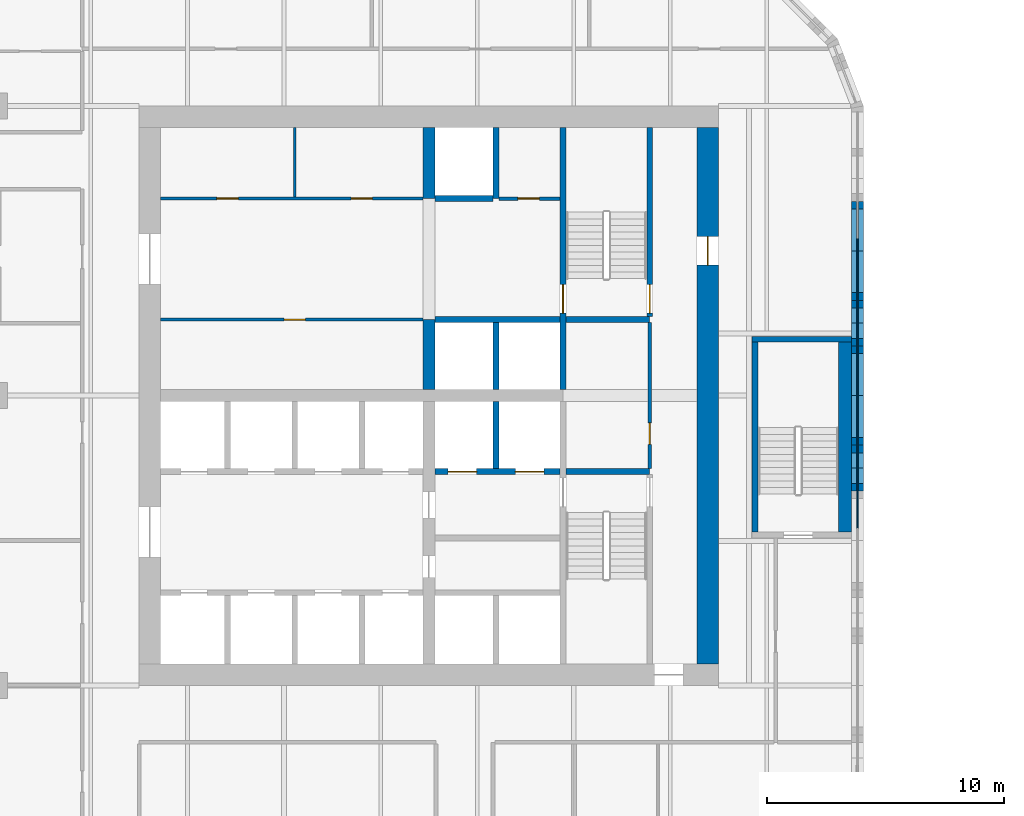
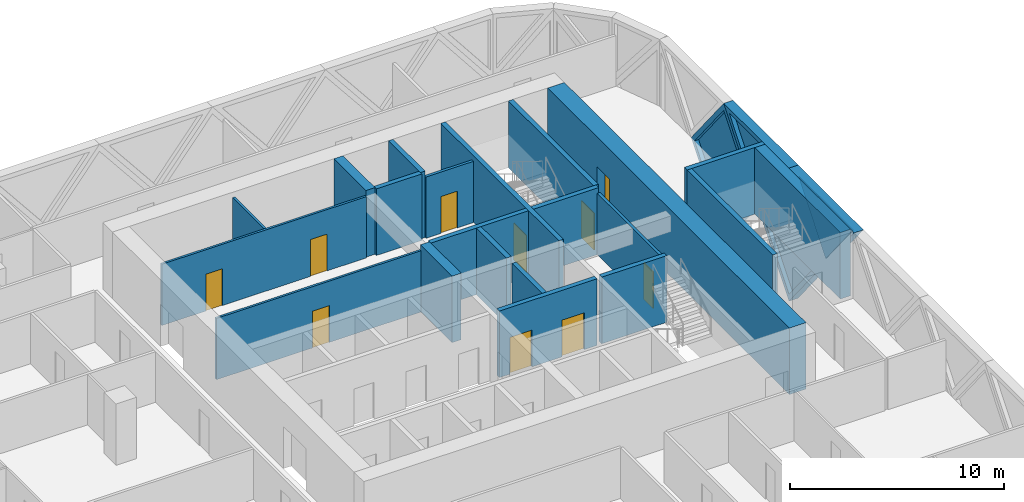
# One storey, part 12 of 24: 25 walls, 10 doors, 4 plates, 14 openings.
"""IFC4 building model written with IfcOpenShell, lengths in metres."""

import ifcopenshell
import ifcopenshell.guid

model = None  # the IFC model being written
_history = None  # IfcOwnerHistory: only IFC2X3 demands one
_inside = {}  # id of a spatial element -> (the spatial element, [elements in it])
_under = {}  # id of a project, library or spatial element -> (it, [spatial elements below it])
_declared = {}  # id of a project -> (the project, [libraries it declares])
_typed = {}  # id of a type object -> (the type object, [elements of that type])
_made_of = {}  # id of a material, layer set ... -> (it, [elements and type objects made of it])


def new_model(schema):
    """Start an empty IFC model of exactly this schema.

    Asked for "IFC4X3", IfcOpenShell would pick the latest addendum, in which some entities
    have other attributes; the version numbers below select the first issue.
    IFC2X3 requires an IfcOwnerHistory on every rooted entity: one is made here for all.
    """
    global model, _history
    if schema == "IFC4X3":
        model = ifcopenshell.file(schema_version=(4, 3, 0, 0))
    else:
        model = ifcopenshell.file(schema=schema)
    _inside.clear()
    _under.clear()
    _declared.clear()
    _typed.clear()
    _made_of.clear()
    _history = None
    if model.schema == "IFC2X3":
        org = make("IfcOrganization", Name="unknown")
        user = make(
            "IfcPersonAndOrganization",
            ThePerson=make("IfcPerson", FamilyName="unknown"),
            TheOrganization=org,
        )
        app = make(
            "IfcApplication",
            ApplicationDeveloper=org,
            Version="unknown",
            ApplicationFullName="unknown",
            ApplicationIdentifier="unknown",
        )
        _history = make(
            "IfcOwnerHistory",
            OwningUser=user,
            OwningApplication=app,
            ChangeAction="ADDED",
            CreationDate=0,
        )
    return model


def make(cls, **values):
    """One entity of the class cls with the attributes given. An attribute that is None is left unset."""
    return model.create_entity(
        cls, **{name: value for name, value in values.items() if value is not None}
    )


def rooted(cls, **values):
    """An entity with a GlobalId (a new one), such as an element, a storey or a relation."""
    return make(cls, GlobalId=ifcopenshell.guid.new(), OwnerHistory=_history, **values)


def si_unit(unit_type, name, prefix=None):
    """IfcSIUnit, for example si_unit("LENGTHUNIT", "METRE", prefix="MILLI")."""
    return make("IfcSIUnit", UnitType=unit_type, Prefix=prefix, Name=name)


def assignment(units):
    """IfcUnitAssignment: the units of a project."""
    return None if units is None else make("IfcUnitAssignment", Units=units)


def point(xyz):
    """IfcCartesianPoint."""
    return None if xyz is None else make("IfcCartesianPoint", Coordinates=xyz)


def direction(xyz):
    """IfcDirection."""
    return None if xyz is None else make("IfcDirection", DirectionRatios=xyz)


def frame(location, z_axis=None, x_axis=None):
    """IfcAxis2Placement3D, a coordinate frame: its origin and axes. An axis left out is left unset."""
    return make(
        "IfcAxis2Placement3D",
        Location=point(location),
        Axis=direction(z_axis),
        RefDirection=direction(x_axis),
    )


def frame_2d(location, x_axis=None):
    """IfcAxis2Placement2D, a coordinate frame in the plane: its origin and x axis."""
    return make(
        "IfcAxis2Placement2D", Location=point(location), RefDirection=direction(x_axis)
    )


def origin():
    """The frame at (0, 0, 0) with its axes left unset."""
    return frame((0.0, 0.0, 0.0))


def place(relative_to, where):
    """IfcLocalPlacement: puts the frame where relative to a parent placement (None: the world)."""
    return make(
        "IfcLocalPlacement", PlacementRelTo=relative_to, RelativePlacement=where
    )


def context(
    kind, dimensions, precision=None, world=None, true_north=None, identifier=None
):
    """IfcGeometricRepresentationContext, for example the 3D "Model" context."""
    return make(
        "IfcGeometricRepresentationContext",
        ContextIdentifier=identifier,
        ContextType=kind,
        CoordinateSpaceDimension=dimensions,
        Precision=precision,
        WorldCoordinateSystem=world,
        TrueNorth=true_north,
    )


def subcontext(parent, identifier, kind, view, scale=None):
    """IfcGeometricRepresentationSubContext, for example "Body" below "Model"."""
    return make(
        "IfcGeometricRepresentationSubContext",
        ContextIdentifier=identifier,
        ContextType=kind,
        ParentContext=parent,
        TargetScale=scale,
        TargetView=view,
    )


def project(units=None, contexts=None):
    """IfcProject with its units and contexts."""
    return rooted(
        "IfcProject",
        Name="project",
        RepresentationContexts=contexts,
        UnitsInContext=assignment(units),
    )


def spatial(cls, under=None, at=None, **own):
    """A site, building, storey or space (cls), placed at a placement, below another one or the project."""
    s = rooted(cls, ObjectPlacement=at, **own)
    if under is not None:
        _under.setdefault(under.id(), (under, []))[1].append(s)
    return s


def polyline(points):
    """IfcPolyline through the points."""
    return make("IfcPolyline", Points=[point(p) for p in points])


def profile(cls, at=None, kind="AREA", **sizes):
    """A parametric profile (cls). Its sizes go by their IFC names, for example OverallWidth=200.0."""
    return make(cls, ProfileType=kind, Position=at, **sizes)


def rectangle(**sizes):
    """IfcRectangleProfileDef."""
    return profile("IfcRectangleProfileDef", **sizes)


def outline(outer, holes=None, kind="AREA"):
    """IfcArbitraryClosedProfileDef: a profile drawn as a closed curve; with holes, ...WithVoids."""
    if holes is None:
        return make("IfcArbitraryClosedProfileDef", ProfileType=kind, OuterCurve=outer)
    return make(
        "IfcArbitraryProfileDefWithVoids",
        ProfileType=kind,
        OuterCurve=outer,
        InnerCurves=holes,
    )


def extrude(swept, where, along, depth):
    """IfcExtrudedAreaSolid: the profile swept, set in the frame where, extruded along a direction by depth."""
    return make(
        "IfcExtrudedAreaSolid",
        SweptArea=swept,
        Position=where,
        ExtrudedDirection=direction(along),
        Depth=depth,
    )


def faces_of(points, faces, orient=None, outer=None):
    """IfcFace entities. A face is a list of loops; a loop is a list of indices into points, from 0.

    orient and outer hold one flag for each loop. By default every Orientation is true, the
    first loop of a face is its IfcFaceOuterBound and the others are IfcFaceBound.
    """
    made = []
    for i, loops in enumerate(faces):
        bounds = []
        for j, loop in enumerate(loops):
            is_outer = j == 0 if outer is None else outer[i][j]
            bounds.append(
                make(
                    "IfcFaceOuterBound" if is_outer else "IfcFaceBound",
                    Bound=make("IfcPolyLoop", Polygon=[points[k] for k in loop]),
                    Orientation=True if orient is None else orient[i][j],
                )
            )
        made.append(make("IfcFace", Bounds=bounds))
    return made


def faceted_brep(points, faces, orient=None, outer=None, voids=None):
    """IfcFacetedBrep: a solid bounded by flat faces; with voids (closed shells), ...WithVoids."""
    shared = [point(p) for p in points]
    hull = make("IfcClosedShell", CfsFaces=faces_of(shared, faces, orient, outer))
    if voids is None:
        return make("IfcFacetedBrep", Outer=hull)
    return make(
        "IfcFacetedBrepWithVoids",
        Outer=hull,
        Voids=[
            make(cls, CfsFaces=faces_of(shared, fs, o, b)) for cls, fs, o, b in voids
        ],
    )


def shape(context_of_items, identifier, shape_type, items):
    """IfcShapeRepresentation: the items that make up one representation, for example the "Body"."""
    return make(
        "IfcShapeRepresentation",
        ContextOfItems=context_of_items,
        RepresentationIdentifier=identifier,
        RepresentationType=shape_type,
        Items=items,
    )


def source(mapping_origin, context_of_items, identifier, shape_type, items):
    """IfcRepresentationMap: a shape defined once, which mapped items show again and again."""
    return make(
        "IfcRepresentationMap",
        MappingOrigin=mapping_origin,
        MappedRepresentation=shape(context_of_items, identifier, shape_type, items),
    )


def transform(
    local_origin,
    x_axis=None,
    y_axis=None,
    z_axis=None,
    scale=None,
    scale2=None,
    scale3=None,
    uniform=True,
):
    """IfcCartesianTransformationOperator3D, or its non-uniform kind. x_axis, y_axis, z_axis: its Axis1, 2, 3."""
    if uniform:
        return make(
            "IfcCartesianTransformationOperator3D",
            Axis1=direction(x_axis),
            Axis2=direction(y_axis),
            LocalOrigin=point(local_origin),
            Scale=scale,
            Axis3=direction(z_axis),
        )
    return make(
        "IfcCartesianTransformationOperator3DnonUniform",
        Axis1=direction(x_axis),
        Axis2=direction(y_axis),
        LocalOrigin=point(local_origin),
        Scale=scale,
        Axis3=direction(z_axis),
        Scale2=scale2,
        Scale3=scale3,
    )


def mapped(mapping_source, mapping_target):
    """IfcMappedItem: shows the shape of a source again, moved by a transform."""
    return make(
        "IfcMappedItem", MappingSource=mapping_source, MappingTarget=mapping_target
    )


def material(Name=None, Category=None):
    """IfcMaterial."""
    return make("IfcMaterial", Name=Name, Category=Category)


def layer(
    of_material, thickness, ventilated=None, Name=None, Category=None, Priority=None
):
    """IfcMaterialLayer: one layer of a wall or slab, of a material (None: an air gap)."""
    return make(
        "IfcMaterialLayer",
        Material=of_material,
        LayerThickness=thickness,
        IsVentilated=ventilated,
        Name=Name,
        Category=Category,
        Priority=Priority,
    )


def layer_set(layers, Name=None):
    """IfcMaterialLayerSet."""
    return make("IfcMaterialLayerSet", MaterialLayers=layers, LayerSetName=Name)


def made_of(thing, what):
    """Note that an element or type object is made of a material, layer set ...; save() writes the relation."""
    if what is not None:
        _made_of.setdefault(what.id(), (what, []))[1].append(thing)
    return thing


def type_object(cls, material=None, **own):
    """A type object (cls), such as IfcWallType, which elements share."""
    return made_of(rooted(cls, **own), material)


def element(
    cls,
    number,
    at=None,
    inside=None,
    cuts=None,
    type_object=None,
    material=None,
    context=None,
    identifier="Body",
    shape_type=None,
    held_by="IfcProductDefinitionShape",
    body=None,
    shapes=None,
    **own,
):
    """One element of the class cls, such as IfcWall. Its Tag is "e" and its number.

    at: its placement. inside: the storey or other place that contains it. cuts: it is an
    opening in that element (IfcRelVoidsElement). A single representation is given by context,
    identifier, shape_type and body (its items); several are given by shapes. held_by: the class
    of the entity that holds the representations. save() writes the other relations.
    """
    e = rooted(cls, Tag="e%d" % number, ObjectPlacement=at, **own)
    if body is not None:
        shapes = [shape(context, identifier, shape_type, body)]
    if shapes is not None:
        e.Representation = make(held_by, Representations=shapes)
    if inside is not None:
        _inside.setdefault(inside.id(), (inside, []))[1].append(e)
    if cuts is not None:
        rooted(
            "IfcRelVoidsElement", RelatingBuildingElement=cuts, RelatedOpeningElement=e
        )
    if type_object is not None:
        _typed.setdefault(type_object.id(), (type_object, []))[1].append(e)
    return made_of(e, material)


def fill(opening, filler):
    """IfcRelFillsElement: the door or window that sits in an opening."""
    return rooted(
        "IfcRelFillsElement",
        RelatingOpeningElement=opening,
        RelatedBuildingElement=filler,
    )


def aggregate(whole, parts):
    """IfcRelAggregates: a whole, such as a stair, and the parts it consists of."""
    return rooted("IfcRelAggregates", RelatingObject=whole, RelatedObjects=parts)


def save(model, path):
    """Write the relations noted so far, then the file.

    IfcRelAggregates (storeys below a building ...), IfcRelContainedInSpatialStructure (elements
    in a storey), IfcRelDefinesByType, IfcRelAssociatesMaterial and IfcRelDeclares: one each for
    every whole, place, type object, material and project.
    """
    for whole, parts in _under.values():
        aggregate(whole, parts)
    for where, things in _inside.values():
        rooted(
            "IfcRelContainedInSpatialStructure",
            RelatedElements=things,
            RelatingStructure=where,
        )
    for kind, things in _typed.values():
        rooted("IfcRelDefinesByType", RelatedObjects=things, RelatingType=kind)
    for what, things in _made_of.values():
        rooted("IfcRelAssociatesMaterial", RelatedObjects=things, RelatingMaterial=what)
    for by, libraries in _declared.values():
        rooted("IfcRelDeclares", RelatingContext=by, RelatedDefinitions=libraries)
    model.write(path)


model = new_model("IFC4")

# Units and contexts
model_context = context("Model", 3, precision=1e-05, world=origin(), true_north=direction((0.0, 1.0)))
body_context = subcontext(model_context, "Body", "Model", "MODEL_VIEW")
ifc_project = project(units=[si_unit("LENGTHUNIT", "METRE"), si_unit("AREAUNIT", "SQUARE_METRE"), si_unit("VOLUMEUNIT", "CUBIC_METRE"), si_unit("PLANEANGLEUNIT", "RADIAN"), si_unit("MASSUNIT", "GRAM", prefix="KILO")], contexts=[model_context])

# Site, building, storey
site_placement = place(None, origin())
site = spatial("IfcSite", under=ifc_project, at=site_placement, CompositionType="ELEMENT")
building_placement = place(site_placement, origin())
building = spatial("IfcBuilding", under=site, at=building_placement, Name="Tessera Gate Towers", CompositionType="ELEMENT")
storey_placement = place(building_placement, frame((0.0, 0.0, 60.0)))
storey = spatial("IfcBuildingStorey", under=building, at=storey_placement, Name="L14", CompositionType="ELEMENT", Elevation=60.0)

# Wall, opening, door
ifc_material_1 = material(Name="Concrete C40/50", Category="concrete")
ifc_layer_1 = layer(ifc_material_1, 0.25)
ifc_layer_set_1 = layer_set([ifc_layer_1], Name="CORE ENCLOSURE WALL 250")
wall_type_1 = type_object("IfcWallType", Name="CORE ENCLOSURE WALL 250", PredefinedType="SOLIDWALL", material=ifc_layer_set_1)
wall_1_placement = place(storey_placement, frame((48.35009765625, 47.89990234375, 0.0), z_axis=(0.0, 0.0, 1.0), x_axis=(0.0, -1.0, 0.0)))
wall_1 = element("IfcWall", 1, at=wall_1_placement, inside=storey, type_object=wall_type_1, Name="L14 shaft and stair enclosure wall", PredefinedType="SOLIDWALL", context=body_context, shape_type="SweptSolid", body=[
    extrude(rectangle(XDim=11.0498046875, YDim=0.25, at=frame_2d((5.52490234375, 0.0))), origin(), (0.0, 0.0, 1.0), 3.800048828125),
])
shared_shape_1 = source(origin(), body_context, "Body", "SweptSolid", [
    extrude(rectangle(XDim=1.199951171875, YDim=2.10009765625, at=frame_2d((0.60009765625, 1.050048828125))), frame((0.0, 0.135009765625, 0.0), z_axis=(0.0, -1.0, 0.0), x_axis=(1.0, 0.0, 0.0)), (0.0, 0.0, 1.0), 0.27001953125),
])
opening_1_placement = place(wall_1_placement, frame((6.625, 0.0, 0.0)))
opening_1 = element("IfcOpeningElement", 2, at=opening_1_placement, cuts=wall_1, Name="Opening SD-ST2-1", PredefinedType="OPENING", context=body_context, shape_type="MappedRepresentation", body=[
    mapped(shared_shape_1, transform((0.0, 0.0, 0.0), scale=1.0)),
])
ifc_material_2 = material(Name="Hollow steel fire door", Category="steel")
door_type_1 = type_object("IfcDoorType", Name="CORE DOOR SD 1200x2100", OperationType="NOTDEFINED", PredefinedType="DOOR", material=ifc_material_2)
shared_shape_2 = source(origin(), body_context, "Body", "SweptSolid", [
    extrude(rectangle(XDim=1.199951171875, YDim=2.10009765625, at=frame_2d((0.60009765625, 1.050048828125))), frame((0.0, 0.02490234375, 0.0), z_axis=(0.0, -1.0, 0.0), x_axis=(1.0, 0.0, 0.0)), (0.0, 0.0, 1.0), 0.050048828125),
])
door_1_placement = place(opening_1_placement, origin())
door_1 = element("IfcDoor", 3, at=door_1_placement, inside=storey, type_object=door_type_1, Name="Stair door", OperationType="SINGLE_SWING_RIGHT", OverallHeight=2.10009765625, OverallWidth=1.199951171875, PredefinedType="DOOR", context=body_context, shape_type="MappedRepresentation", body=[
    mapped(shared_shape_2, transform((0.0, 0.0, 0.0), scale=1.0)),
])
fill(opening_1, door_1)

# Wall, openings, doors
wall_2_placement = place(storey_placement, frame((48.22509765625, 33.39990234375, 0.0), z_axis=(0.0, 0.0, 1.0), x_axis=(-1.0, 0.0, 0.0)))
wall_2 = element("IfcWall", 4, at=wall_2_placement, inside=storey, type_object=wall_type_1, Name="L14 shaft and stair enclosure wall", PredefinedType="SOLIDWALL", context=body_context, shape_type="SweptSolid", body=[
    extrude(rectangle(XDim=5.275146484375, YDim=0.25, at=frame_2d((2.6376953125, 0.0))), origin(), (0.0, 0.0, 1.0), 3.800048828125),
])
opening_2_placement = place(wall_2_placement, frame((3.512451171875, 0.0, 0.0)))
opening_2 = element("IfcOpeningElement", 5, at=opening_2_placement, cuts=wall_2, Name="Opening LD-FF1", PredefinedType="OPENING", context=body_context, shape_type="MappedRepresentation", body=[
    mapped(shared_shape_1, transform((0.0, 0.0, 0.0), scale=1.0)),
])
opening_3_placement = place(wall_2_placement, frame((0.6875, 0.0, 0.0)))
opening_3 = element("IfcOpeningElement", 6, at=opening_3_placement, cuts=wall_2, Name="Opening LD-FF2", PredefinedType="OPENING", context=body_context, shape_type="MappedRepresentation", body=[
    mapped(shared_shape_1, transform((0.0, 0.0, 0.0), scale=1.0)),
])
ifc_material_3 = material(Name="Stainless steel", Category="steel")
door_type_2 = type_object("IfcDoorType", Name="CORE DOOR LD1200 1200x2100", OperationType="DOUBLE_DOOR_SLIDING", PredefinedType="DOOR", material=ifc_material_3)
door_2_placement = place(opening_2_placement, origin())
door_2 = element("IfcDoor", 7, at=door_2_placement, inside=storey, type_object=door_type_2, Name="Landing door FF1 L14", OperationType="DOUBLE_DOOR_SLIDING", OverallHeight=2.10009765625, OverallWidth=1.199951171875, PredefinedType="DOOR", context=body_context, shape_type="MappedRepresentation", body=[
    mapped(shared_shape_2, transform((0.0, 0.0, 0.0), scale=1.0)),
])
fill(opening_2, door_2)
door_3_placement = place(opening_3_placement, origin())
door_3 = element("IfcDoor", 8, at=door_3_placement, inside=storey, type_object=door_type_2, Name="Landing door FF2 L14", OperationType="DOUBLE_DOOR_SLIDING", OverallHeight=2.10009765625, OverallWidth=1.199951171875, PredefinedType="DOOR", context=body_context, shape_type="MappedRepresentation", body=[
    mapped(shared_shape_2, transform((0.0, 0.0, 0.0), scale=1.0)),
])
fill(opening_3, door_3)

# Walls
wall_3_placement = place(storey_placement, frame((48.47509765625, 33.39990234375, 0.0), z_axis=(0.0, 0.0, 1.0), x_axis=(1.0, 0.0, 0.0)))
element("IfcWall", 9, at=wall_3_placement, inside=storey, type_object=wall_type_1, Name="L14 shaft and stair enclosure wall", PredefinedType="SOLIDWALL", context=body_context, shape_type="SweptSolid", body=[
    extrude(rectangle(XDim=3.52490234375, YDim=0.25, at=frame_2d((1.762451171875, 0.0))), origin(), (0.0, 0.0, 1.0), 3.800048828125),
])
wall_4_placement = place(storey_placement, frame((42.949951171875, 39.800048828125, 0.0), z_axis=(0.0, 0.0, 1.0), x_axis=(1.0, 0.0, 0.0)))
element("IfcWall", 10, at=wall_4_placement, inside=storey, type_object=wall_type_1, Name="L14 shaft and stair enclosure wall", PredefinedType="SOLIDWALL", context=body_context, shape_type="SweptSolid", body=[
    extrude(rectangle(XDim=5.275146484375, YDim=0.25, at=frame_2d((2.6376953125, 0.0))), origin(), (0.0, 0.0, 1.0), 3.800048828125),
])
wall_5_placement = place(storey_placement, frame((48.47509765625, 39.800048828125, 0.0), z_axis=(0.0, 0.0, 1.0), x_axis=(1.0, 0.0, 0.0)))
element("IfcWall", 11, at=wall_5_placement, inside=storey, type_object=wall_type_1, Name="L14 shaft and stair enclosure wall", PredefinedType="SOLIDWALL", context=body_context, shape_type="SweptSolid", body=[
    extrude(rectangle(XDim=3.52490234375, YDim=0.25, at=frame_2d((1.762451171875, 0.0))), origin(), (0.0, 0.0, 1.0), 3.800048828125),
])

# Wall, opening, door
wall_6_placement = place(storey_placement, frame((52.0, 39.925048828125, 0.0), z_axis=(0.0, 0.0, 1.0), x_axis=(0.0, 1.0, 0.0)))
wall_6 = element("IfcWall", 12, at=wall_6_placement, inside=storey, type_object=wall_type_1, Name="L14 shaft and stair enclosure wall", PredefinedType="SOLIDWALL", context=body_context, shape_type="SweptSolid", body=[
    extrude(rectangle(XDim=7.974853515625, YDim=0.25, at=frame_2d((3.9873046875, 0.0))), origin(), (0.0, 0.0, 1.0), 3.800048828125),
])
opening_4_placement = place(wall_6_placement, frame((0.14990234375, 0.0, 0.0)))
opening_4 = element("IfcOpeningElement", 13, at=opening_4_placement, cuts=wall_6, Name="Opening SD-ST2-2", PredefinedType="OPENING", context=body_context, shape_type="MappedRepresentation", body=[
    mapped(shared_shape_1, transform((0.0, 0.0, 0.0), scale=1.0)),
])
door_4_placement = place(opening_4_placement, origin())
door_4 = element("IfcDoor", 14, at=door_4_placement, inside=storey, type_object=door_type_1, Name="Stair door", OperationType="SINGLE_SWING_LEFT", OverallHeight=2.10009765625, OverallWidth=1.199951171875, PredefinedType="DOOR", context=body_context, shape_type="MappedRepresentation", body=[
    mapped(shared_shape_2, transform((0.0, 0.0, 0.0), scale=1.0)),
])
fill(opening_4, door_4)

# Walls
wall_7_placement = place(storey_placement, frame((45.52490234375, 33.52490234375, 0.0), z_axis=(0.0, 0.0, 1.0), x_axis=(0.0, 1.0, 0.0)))
element("IfcWall", 15, at=wall_7_placement, inside=storey, type_object=wall_type_1, Name="L14 shaft and stair enclosure wall", PredefinedType="SOLIDWALL", context=body_context, shape_type="SweptSolid", body=[
    extrude(rectangle(XDim=2.8251953125, YDim=0.25, at=frame_2d((1.41259765625, 0.0))), origin(), (0.0, 0.0, 1.0), 3.800048828125),
])
wall_8_placement = place(storey_placement, frame((45.52490234375, 36.85009765625, 0.0), z_axis=(0.0, 0.0, 1.0), x_axis=(0.0, 1.0, 0.0)))
element("IfcWall", 16, at=wall_8_placement, inside=storey, type_object=wall_type_1, Name="L14 shaft and stair enclosure wall", PredefinedType="SOLIDWALL", context=body_context, shape_type="SweptSolid", body=[
    extrude(rectangle(XDim=2.824951171875, YDim=0.25, at=frame_2d((1.41259765625, 0.0))), origin(), (0.0, 0.0, 1.0), 3.800048828125),
])
wall_9_placement = place(storey_placement, frame((45.52490234375, 44.89990234375, 0.0), z_axis=(0.0, 0.0, 1.0), x_axis=(0.0, 1.0, 0.0)))
element("IfcWall", 17, at=wall_9_placement, inside=storey, type_object=wall_type_1, Name="L14 shaft and stair enclosure wall", PredefinedType="SOLIDWALL", context=body_context, shape_type="SweptSolid", body=[
    extrude(rectangle(XDim=3.0, YDim=0.25, at=frame_2d((1.5, 0.0))), origin(), (0.0, 0.0, 1.0), 3.800048828125),
])
wall_10_placement = place(storey_placement, frame((42.949951171875, 44.89990234375, 0.0), z_axis=(0.0, 0.0, 1.0), x_axis=(1.0, 0.0, 0.0)))
element("IfcWall", 18, at=wall_10_placement, inside=storey, type_object=wall_type_1, Name="L14 shaft and stair enclosure wall", PredefinedType="SOLIDWALL", context=body_context, shape_type="SweptSolid", body=[
    extrude(rectangle(XDim=2.449951171875, YDim=0.25, at=frame_2d((1.22509765625, 0.0))), origin(), (0.0, 0.0, 1.0), 3.800048828125),
])
wall_11_placement = place(storey_placement, frame((56.425048828125, 30.85009765625, 0.0), z_axis=(0.0, 0.0, 1.0), x_axis=(0.0, 1.0, 0.0)))
element("IfcWall", 19, at=wall_11_placement, inside=storey, type_object=wall_type_1, Name="L14 ST5 enclosure wall", PredefinedType="SOLIDWALL", context=body_context, shape_type="SweptSolid", body=[
    extrude(rectangle(XDim=8.0, YDim=0.25, at=frame_2d((4.0, 0.0))), origin(), (0.0, 0.0, 1.0), 3.800048828125),
])
wall_12_placement = place(storey_placement, frame((56.300048828125, 38.97509765625, 0.0), z_axis=(0.0, 0.0, 1.0), x_axis=(1.0, 0.0, 0.0)))
element("IfcWall", 20, at=wall_12_placement, inside=storey, type_object=wall_type_1, Name="L14 ST5 enclosure wall", PredefinedType="SOLIDWALL", context=body_context, shape_type="SweptSolid", body=[
    extrude(rectangle(XDim=4.199951171875, YDim=0.25, at=frame_2d((2.10009765625, 0.0))), origin(), (0.0, 0.0, 1.0), 3.800048828125),
])
ifc_material_4 = material(Name="Concrete C40/50", Category="concrete")
ifc_layer_2 = layer(ifc_material_4, 0.550048828125)
ifc_layer_set_2 = layer_set([ifc_layer_2], Name="CORE ENCLOSURE WALL 550")
wall_type_2 = type_object("IfcWallType", Name="CORE ENCLOSURE WALL 550", PredefinedType="SOLIDWALL", material=ifc_layer_set_2)
wall_13_placement = place(storey_placement, frame((60.22509765625, 38.85009765625, 0.0), z_axis=(0.0, 0.0, 1.0), x_axis=(0.0, -1.0, 0.0)))
element("IfcWall", 21, at=wall_13_placement, inside=storey, type_object=wall_type_2, Name="L14 ST5 enclosure wall", PredefinedType="SOLIDWALL", context=body_context, shape_type="SweptSolid", body=[
    extrude(rectangle(XDim=8.0, YDim=0.550048828125, at=frame_2d((4.0, 0.0))), origin(), (0.0, 0.0, 1.0), 3.800048828125),
])

# Wall, opening, door
ifc_material_5 = material(Name="Gypsum board on steel studs", Category="steel")
ifc_layer_3 = layer(ifc_material_5, 0.1201171875)
ifc_layer_set_3 = layer_set([ifc_layer_3], Name="CORE PARTITION 120")
wall_type_3 = type_object("IfcWallType", Name="CORE PARTITION 120", PredefinedType="PARTITIONING", material=ifc_layer_set_3)
wall_14_placement = place(storey_placement, frame((42.449951171875, 39.800048828125, 0.0), z_axis=(0.0, 0.0, 1.0), x_axis=(-1.0, 0.0, 0.0)))
wall_14 = element("IfcWall", 22, at=wall_14_placement, inside=storey, type_object=wall_type_3, Name="L14 core partition", PredefinedType="PARTITIONING", context=body_context, shape_type="SweptSolid", body=[
    extrude(rectangle(XDim=11.050048828125, YDim=0.1201171875, at=frame_2d((5.52490234375, 0.0))), origin(), (0.0, 0.0, 1.0), 3.5),
])
shared_shape_3 = source(origin(), body_context, "Body", "SweptSolid", [
    extrude(rectangle(XDim=0.89990234375, YDim=2.10009765625, at=frame_2d((0.449951171875, 1.050048828125))), frame((0.0, 0.070068359375, 0.0), z_axis=(0.0, -1.0, 0.0), x_axis=(1.0, 0.0, 0.0)), (0.0, 0.0, 1.0), 0.14013671875),
])
opening_5_placement = place(wall_14_placement, frame((4.949951171875, 0.0, 0.0)))
opening_5 = element("IfcOpeningElement", 23, at=opening_5_placement, cuts=wall_14, Name="Opening RD-T1-10-07", PredefinedType="OPENING", context=body_context, shape_type="MappedRepresentation", body=[
    mapped(shared_shape_3, transform((0.0, 0.0, 0.0), scale=1.0)),
])
ifc_material_6 = material(Name="Hollow steel fire door", Category="steel")
door_type_3 = type_object("IfcDoorType", Name="CORE DOOR RD 900x2100", OperationType="NOTDEFINED", PredefinedType="DOOR", material=ifc_material_6)
shared_shape_4 = source(origin(), body_context, "Body", "SweptSolid", [
    extrude(rectangle(XDim=0.89990234375, YDim=2.10009765625, at=frame_2d((0.449951171875, 1.050048828125))), frame((0.0, 0.02490234375, 0.0), z_axis=(0.0, -1.0, 0.0), x_axis=(1.0, 0.0, 0.0)), (0.0, 0.0, 1.0), 0.050048828125),
])
door_5_placement = place(opening_5_placement, origin())
door_5 = element("IfcDoor", 24, at=door_5_placement, inside=storey, type_object=door_type_3, Name="Core room door", OperationType="SINGLE_SWING_LEFT", OverallHeight=2.10009765625, OverallWidth=0.89990234375, PredefinedType="DOOR", context=body_context, shape_type="MappedRepresentation", body=[
    mapped(shared_shape_4, transform((0.0, 0.0, 0.0), scale=1.0)),
])
fill(opening_5, door_5)

# Wall, openings, doors
wall_15_placement = place(storey_placement, frame((31.39990234375, 44.89990234375, 0.0), z_axis=(0.0, 0.0, 1.0), x_axis=(1.0, 0.0, 0.0)))
wall_15 = element("IfcWall", 25, at=wall_15_placement, inside=storey, type_object=wall_type_3, Name="L14 core partition", PredefinedType="PARTITIONING", context=body_context, shape_type="SweptSolid", body=[
    extrude(rectangle(XDim=11.050048828125, YDim=0.1201171875, at=frame_2d((5.52490234375, 0.0))), origin(), (0.0, 0.0, 1.0), 3.5),
])
opening_6_placement = place(wall_15_placement, frame((2.375, 0.0, 0.0)))
opening_6 = element("IfcOpeningElement", 26, at=opening_6_placement, cuts=wall_15, Name="Opening RD-T1-10-08", PredefinedType="OPENING", context=body_context, shape_type="MappedRepresentation", body=[
    mapped(shared_shape_3, transform((0.0, 0.0, 0.0), scale=1.0)),
])
opening_7_placement = place(wall_15_placement, frame((8.02490234375, 0.0, 0.0)))
opening_7 = element("IfcOpeningElement", 27, at=opening_7_placement, cuts=wall_15, Name="Opening RD-T1-10-09", PredefinedType="OPENING", context=body_context, shape_type="MappedRepresentation", body=[
    mapped(shared_shape_3, transform((0.0, 0.0, 0.0), scale=1.0)),
])
door_6_placement = place(opening_6_placement, origin())
door_6 = element("IfcDoor", 28, at=door_6_placement, inside=storey, type_object=door_type_3, Name="Core room door", OperationType="SINGLE_SWING_LEFT", OverallHeight=2.10009765625, OverallWidth=0.89990234375, PredefinedType="DOOR", context=body_context, shape_type="MappedRepresentation", body=[
    mapped(shared_shape_4, transform((0.0, 0.0, 0.0), scale=1.0)),
])
fill(opening_6, door_6)
door_7_placement = place(opening_7_placement, origin())
door_7 = element("IfcDoor", 29, at=door_7_placement, inside=storey, type_object=door_type_3, Name="Core room door", OperationType="SINGLE_SWING_RIGHT", OverallHeight=2.10009765625, OverallWidth=0.89990234375, PredefinedType="DOOR", context=body_context, shape_type="MappedRepresentation", body=[
    mapped(shared_shape_4, transform((0.0, 0.0, 0.0), scale=1.0)),
])
fill(opening_7, door_7)

# Wall
wall_16_placement = place(storey_placement, frame((37.050048828125, 44.9599609375, 0.0), z_axis=(0.0, 0.0, 1.0), x_axis=(0.0, 1.0, 0.0)))
element("IfcWall", 30, at=wall_16_placement, inside=storey, type_object=wall_type_3, Name="L14 core partition", PredefinedType="PARTITIONING", context=body_context, shape_type="SweptSolid", body=[
    extrude(rectangle(XDim=2.93994140625, YDim=0.1201171875, at=frame_2d((1.469970703125, 0.0))), origin(), (0.0, 0.0, 1.0), 3.5),
])

# Wall, opening, door
ifc_material_7 = material(Name="Concrete C70/85", Category="concrete")
ifc_layer_4 = layer(ifc_material_7, 0.89990234375)
ifc_layer_set_4 = layer_set([ifc_layer_4], Name="CORE SHEAR WALL 900 C70/85")
wall_type_4 = type_object("IfcWallType", Name="CORE SHEAR WALL 900 C70/85", PredefinedType="SHEAR", material=ifc_layer_set_4)
wall_17_placement = place(storey_placement, frame((54.449951171875, 47.89990234375, 0.0), z_axis=(0.0, 0.0, 1.0), x_axis=(0.0, -1.0, 0.0)))
wall_17 = element("IfcWall", 31, at=wall_17_placement, inside=storey, type_object=wall_type_4, Name="Core wall E L14", PredefinedType="SHEAR", context=body_context, shape_type="SweptSolid", body=[
    extrude(rectangle(XDim=22.599853515625, YDim=0.89990234375, at=frame_2d((11.2998046875, 0.0))), origin(), (0.0, 0.0, 1.0), 3.800048828125),
])
shared_shape_5 = source(origin(), body_context, "Body", "SweptSolid", [
    extrude(rectangle(XDim=1.199951171875, YDim=2.10009765625, at=frame_2d((0.60009765625, 1.050048828125))), frame((0.0, 0.4599609375, 0.0), z_axis=(0.0, -1.0, 0.0), x_axis=(1.0, 0.0, 0.0)), (0.0, 0.0, 1.0), 0.919921875),
])
opening_8_placement = place(wall_17_placement, frame((4.60009765625, 0.0, 0.0)))
opening_8 = element("IfcOpeningElement", 32, at=opening_8_placement, cuts=wall_17, Name="Opening ED-T1-10-04", PredefinedType="OPENING", context=body_context, shape_type="MappedRepresentation", body=[
    mapped(shared_shape_5, transform((0.0, 0.0, 0.0), scale=1.0)),
])
ifc_material_8 = material(Name="Hollow steel fire door", Category="steel")
door_type_4 = type_object("IfcDoorType", Name="CORE DOOR ED 1200x2100", OperationType="NOTDEFINED", PredefinedType="DOOR", material=ifc_material_8)
door_8_placement = place(opening_8_placement, origin())
door_8 = element("IfcDoor", 33, at=door_8_placement, inside=storey, type_object=door_type_4, Name="Core exit door", OperationType="SINGLE_SWING_LEFT", OverallHeight=2.10009765625, OverallWidth=1.199951171875, PredefinedType="DOOR", context=body_context, shape_type="MappedRepresentation", body=[
    mapped(shared_shape_2, transform((0.0, 0.0, 0.0), scale=1.0)),
])
fill(opening_8, door_8)

# Walls
ifc_material_9 = material(Name="Concrete C70/85", Category="concrete")
ifc_layer_5 = layer(ifc_material_9, 0.5)
ifc_layer_set_5 = layer_set([ifc_layer_5], Name="CORE SPINE WALL 500 C70/85")
wall_type_5 = type_object("IfcWallType", Name="CORE SPINE WALL 500 C70/85", PredefinedType="SHEAR", material=ifc_layer_set_5)
wall_18_placement = place(storey_placement, frame((42.699951171875, 36.85009765625, 0.0), z_axis=(0.0, 0.0, 1.0), x_axis=(0.0, 1.0, 0.0)))
element("IfcWall", 34, at=wall_18_placement, inside=storey, type_object=wall_type_5, Name="Core wall spine L14", PredefinedType="SHEAR", context=body_context, shape_type="SweptSolid", body=[
    extrude(rectangle(XDim=2.949951171875, YDim=0.5, at=frame_2d((1.47509765625, 0.0))), origin(), (0.0, 0.0, 1.0), 3.800048828125),
])
wall_19_placement = place(storey_placement, frame((42.699951171875, 44.89990234375, 0.0), z_axis=(0.0, 0.0, 1.0), x_axis=(0.0, 1.0, 0.0)))
element("IfcWall", 35, at=wall_19_placement, inside=storey, type_object=wall_type_5, Name="Core wall spine L14", PredefinedType="SHEAR", context=body_context, shape_type="SweptSolid", body=[
    extrude(rectangle(XDim=3.0, YDim=0.5, at=frame_2d((1.5, 0.0))), origin(), (0.0, 0.0, 1.0), 3.800048828125),
])

# Wall, opening, door
ifc_material_10 = material(Name="Gypsum board on steel studs", Category="steel")
ifc_layer_6 = layer(ifc_material_10, 0.14990234375)
ifc_layer_set_6 = layer_set([ifc_layer_6], Name="SERVICE ROOM WALL 150")
wall_type_6 = type_object("IfcWallType", Name="SERVICE ROOM WALL 150", PredefinedType="PARTITIONING", material=ifc_layer_set_6)
wall_20_placement = place(storey_placement, frame((52.0, 33.52490234375, 0.0), z_axis=(0.0, 0.0, 1.0), x_axis=(0.0, 1.0, 0.0)))
wall_20 = element("IfcWall", 36, at=wall_20_placement, inside=storey, type_object=wall_type_6, Name="L14 service room wall", PredefinedType="PARTITIONING", context=body_context, shape_type="SweptSolid", body=[
    extrude(rectangle(XDim=6.150146484375, YDim=0.14990234375, at=frame_2d((3.0751953125, 0.0))), origin(), (0.0, 0.0, 1.0), 3.5),
])
shared_shape_6 = source(origin(), body_context, "Body", "SweptSolid", [
    extrude(rectangle(XDim=0.89990234375, YDim=2.10009765625, at=frame_2d((0.449951171875, 1.050048828125))), frame((0.0, 0.0849609375, 0.0), z_axis=(0.0, -1.0, 0.0), x_axis=(1.0, 0.0, 0.0)), (0.0, 0.0, 1.0), 0.169921875),
])
opening_9_placement = place(wall_20_placement, frame((1.02490234375, 0.0, 0.0)))
opening_9 = element("IfcOpeningElement", 37, at=opening_9_placement, cuts=wall_20, Name="Opening RD-T1-10-10", PredefinedType="OPENING", context=body_context, shape_type="MappedRepresentation", body=[
    mapped(shared_shape_6, transform((0.0, 0.0, 0.0), scale=1.0)),
])
door_9_placement = place(opening_9_placement, origin())
door_9 = element("IfcDoor", 38, at=door_9_placement, inside=storey, type_object=door_type_3, Name="Core room door", OperationType="SINGLE_SWING_LEFT", OverallHeight=2.10009765625, OverallWidth=0.89990234375, PredefinedType="DOOR", context=body_context, shape_type="MappedRepresentation", body=[
    mapped(shared_shape_4, transform((0.0, 0.0, 0.0), scale=1.0)),
])
fill(opening_9, door_9)

wall_21_placement = place(storey_placement, frame((45.64990234375, 44.89990234375, 0.0), z_axis=(0.0, 0.0, 1.0), x_axis=(1.0, 0.0, 0.0)))
wall_21 = element("IfcWall", 39, at=wall_21_placement, inside=storey, type_object=wall_type_6, Name="L14 service room wall", PredefinedType="PARTITIONING", context=body_context, shape_type="SweptSolid", body=[
    extrude(rectangle(XDim=2.5751953125, YDim=0.14990234375, at=frame_2d((1.28759765625, 0.0))), origin(), (0.0, 0.0, 1.0), 3.5),
])
opening_10_placement = place(wall_21_placement, frame((0.800048828125, 0.0, 0.0)))
opening_10 = element("IfcOpeningElement", 40, at=opening_10_placement, cuts=wall_21, Name="Opening RD-T1-10-11", PredefinedType="OPENING", context=body_context, shape_type="MappedRepresentation", body=[
    mapped(shared_shape_6, transform((0.0, 0.0, 0.0), scale=1.0)),
])
door_10_placement = place(opening_10_placement, origin())
door_10 = element("IfcDoor", 41, at=door_10_placement, inside=storey, type_object=door_type_3, Name="Core room door", OperationType="SINGLE_SWING_LEFT", OverallHeight=2.10009765625, OverallWidth=0.89990234375, PredefinedType="DOOR", context=body_context, shape_type="MappedRepresentation", body=[
    mapped(shared_shape_4, transform((0.0, 0.0, 0.0), scale=1.0)),
])
fill(opening_10, door_10)

# Wall, opening, plate
ifc_material_11 = material(Name="Precast concrete C60/75 white", Category="concrete")
ifc_layer_7 = layer(ifc_material_11, 0.5)
ifc_layer_set_7 = layer_set([ifc_layer_7], Name="TS1 tessera")
wall_type_7 = type_object("IfcWallType", Name="TS1 tessera", PredefinedType="SOLIDWALL", material=ifc_layer_set_7)
shared_shape_7 = source(origin(), body_context, "Body", "Brep", [
    faceted_brep([(3.050048828125, -0.25, 0.0), (6.099853515625, -0.25, 3.7998046875), (6.099853515625, -0.25, 3.80029296875), (3.050048828125, -0.25, 7.60009765625), (0.0, -0.25, 3.800048828125), (0.0, 0.25, 3.800048828125), (3.050048828125, 0.25, 7.60009765625), (6.099853515625, 0.25, 3.80029296875), (6.099853515625, 0.25, 3.7998046875), (3.050048828125, 0.25, 0.0)], [[[0, 1, 2, 3, 4]], [[5, 6, 7, 8, 9]], [[9, 8, 1, 0]], [[7, 6, 3, 2]], [[6, 5, 4, 3]], [[5, 9, 0, 4]], [[1, 8, 7, 2]]]),
])
wall_22_placement = place(storey_placement, frame((60.75, 33.550048828125, -3.800048828125), z_axis=(0.0, 0.0, 1.0), x_axis=(0.0, 1.0, 0.0)))
wall_22 = element("IfcWall", 42, at=wall_22_placement, inside=storey, type_object=wall_type_7, Name="Precast tessera T1 TS1-0215", PredefinedType="SOLIDWALL", context=body_context, shape_type="MappedRepresentation", body=[
    mapped(shared_shape_7, transform((0.0, 0.0, 0.0), scale=1.0)),
])
shared_shape_8 = source(origin(), body_context, "Body", "SweptSolid", [
    extrude(outline(polyline([(3.050048828125, 0.3994140625), (5.779541015625, 3.800048828125), (3.050048828125, 7.20068359375), (0.320556640625, 3.800048828125), (3.050048828125, 0.3994140625)])), frame((0.0, 0.260009765625, 0.0), z_axis=(0.0, -1.0, 0.0), x_axis=(1.0, 0.0, 0.0)), (0.0, 0.0, 1.0), 0.52001953125),
])
opening_11_placement = place(wall_22_placement, origin())
opening_11 = element("IfcOpeningElement", 43, at=opening_11_placement, cuts=wall_22, Name="Opening T1-PL2-0435", PredefinedType="OPENING", context=body_context, shape_type="MappedRepresentation", body=[
    mapped(shared_shape_8, transform((0.0, 0.0, 0.0), scale=1.0)),
])
ifc_material_12 = material(Name="Low-e laminated glass", Category="glass")
ifc_layer_8 = layer(ifc_material_12, 0.06005859375)
ifc_layer_set_8 = layer_set([ifc_layer_8], Name="PL2 rhombic pane")
plate_type_1 = type_object("IfcPlateType", Name="PL2 rhombic pane", PredefinedType="SHEET", material=ifc_layer_set_8)
shared_shape_9 = source(origin(), body_context, "Body", "SweptSolid", [
    extrude(outline(polyline([(3.050048828125, 0.3994140625), (5.779541015625, 3.800048828125), (3.050048828125, 7.20068359375), (0.320556640625, 3.800048828125), (3.050048828125, 0.3994140625)])), frame((0.0, 0.030029296875, 0.0), z_axis=(0.0, -1.0, 0.0), x_axis=(1.0, 0.0, 0.0)), (0.0, 0.0, 1.0), 0.06005859375),
])
plate_1_placement = place(opening_11_placement, origin())
plate_1 = element("IfcPlate", 44, at=plate_1_placement, inside=storey, type_object=plate_type_1, Name="Glass pane T1 PL2-0435", PredefinedType="SHEET", context=body_context, shape_type="MappedRepresentation", body=[
    mapped(shared_shape_9, transform((0.0, 0.0, 0.0), scale=1.0)),
])
fill(opening_11, plate_1)

shared_shape_10 = source(origin(), body_context, "Body", "SweptSolid", [
    extrude(outline(polyline([(3.050048828125, 0.0), (6.10009765625, 3.800048828125), (3.050048828125, 7.60009765625), (0.0, 3.800048828125), (3.050048828125, 0.0)])), frame((0.0, 0.25, 0.0), z_axis=(0.0, -1.0, 0.0), x_axis=(1.0, 0.0, 0.0)), (0.0, 0.0, 1.0), 0.5),
])
wall_23_placement = place(storey_placement, frame((60.75, 39.64990234375, -3.800048828125), z_axis=(0.0, 0.0, 1.0), x_axis=(0.0, 1.0, 0.0)))
wall_23 = element("IfcWall", 45, at=wall_23_placement, inside=storey, type_object=wall_type_7, Name="Precast tessera T1 TS1-0216", PredefinedType="SOLIDWALL", context=body_context, shape_type="MappedRepresentation", body=[
    mapped(shared_shape_10, transform((0.0, 0.0, 0.0), scale=1.0)),
])
opening_12_placement = place(wall_23_placement, origin())
opening_12 = element("IfcOpeningElement", 46, at=opening_12_placement, cuts=wall_23, Name="Opening T1-PL2-0436", PredefinedType="OPENING", context=body_context, shape_type="MappedRepresentation", body=[
    mapped(shared_shape_8, transform((0.0, 0.0, 0.0), scale=1.0)),
])
plate_2_placement = place(opening_12_placement, origin())
plate_2 = element("IfcPlate", 47, at=plate_2_placement, inside=storey, type_object=plate_type_1, Name="Glass pane T1 PL2-0436", PredefinedType="SHEET", context=body_context, shape_type="MappedRepresentation", body=[
    mapped(shared_shape_9, transform((0.0, 0.0, 0.0), scale=1.0)),
])
fill(opening_12, plate_2)

ifc_material_13 = material(Name="Precast concrete C60/75 white", Category="concrete")
ifc_layer_9 = layer(ifc_material_13, 0.5)
ifc_layer_set_9 = layer_set([ifc_layer_9], Name="TS2 half tessera")
wall_type_8 = type_object("IfcWallType", Name="TS2 half tessera", PredefinedType="SOLIDWALL", material=ifc_layer_set_9)
shared_shape_11 = source(origin(), body_context, "Body", "Brep", [
    faceted_brep([(3.050048828125, -0.25, 0.0), (6.099853515625, -0.25, 3.7998046875), (6.099853515625, -0.25, 3.800048828125), (0.0, -0.25, 3.800048828125), (0.0, 0.25, 3.800048828125), (6.099853515625, 0.25, 3.800048828125), (6.099853515625, 0.25, 3.7998046875), (3.050048828125, 0.25, 0.0)], [[[0, 1, 2, 3]], [[4, 5, 6, 7]], [[7, 6, 1, 0]], [[5, 4, 3, 2]], [[4, 7, 0, 3]], [[1, 6, 5, 2]]]),
])
wall_24_placement = place(storey_placement, frame((60.75, 36.60009765625, 0.0), z_axis=(0.0, 0.0, 1.0), x_axis=(0.0, 1.0, 0.0)))
wall_24 = element("IfcWall", 48, at=wall_24_placement, inside=storey, type_object=wall_type_8, Name="Precast half tessera T1 TS2-0077", PredefinedType="SOLIDWALL", context=body_context, shape_type="MappedRepresentation", body=[
    mapped(shared_shape_11, transform((0.0, 0.0, 0.0), scale=1.0)),
])
shared_shape_12 = source(origin(), body_context, "Body", "SweptSolid", [
    extrude(outline(polyline([(3.050048828125, 0.3994140625), (5.578857421875, 3.550048828125), (0.521240234375, 3.550048828125), (3.050048828125, 0.3994140625)])), frame((0.0, 0.260009765625, 0.0), z_axis=(0.0, -1.0, 0.0), x_axis=(1.0, 0.0, 0.0)), (0.0, 0.0, 1.0), 0.52001953125),
])
opening_13_placement = place(wall_24_placement, origin())
opening_13 = element("IfcOpeningElement", 49, at=opening_13_placement, cuts=wall_24, Name="Opening T1-PL1-0155", PredefinedType="OPENING", context=body_context, shape_type="MappedRepresentation", body=[
    mapped(shared_shape_12, transform((0.0, 0.0, 0.0), scale=1.0)),
])
ifc_material_14 = material(Name="Low-e laminated glass", Category="glass")
ifc_layer_10 = layer(ifc_material_14, 0.06005859375)
ifc_layer_set_10 = layer_set([ifc_layer_10], Name="PL1 triangular pane")
plate_type_2 = type_object("IfcPlateType", Name="PL1 triangular pane", PredefinedType="SHEET", material=ifc_layer_set_10)
shared_shape_13 = source(origin(), body_context, "Body", "SweptSolid", [
    extrude(outline(polyline([(3.050048828125, 0.3994140625), (5.578857421875, 3.550048828125), (0.521240234375, 3.550048828125), (3.050048828125, 0.3994140625)])), frame((0.0, 0.030029296875, 0.0), z_axis=(0.0, -1.0, 0.0), x_axis=(1.0, 0.0, 0.0)), (0.0, 0.0, 1.0), 0.06005859375),
])
plate_3_placement = place(opening_13_placement, origin())
plate_3 = element("IfcPlate", 50, at=plate_3_placement, inside=storey, type_object=plate_type_2, Name="Glass pane T1 PL1-0155", PredefinedType="SHEET", context=body_context, shape_type="MappedRepresentation", body=[
    mapped(shared_shape_13, transform((0.0, 0.0, 0.0), scale=1.0)),
])
fill(opening_13, plate_3)

shared_shape_14 = source(origin(), body_context, "Body", "SweptSolid", [
    extrude(outline(polyline([(3.050048828125, 0.0), (6.10009765625, 3.800048828125), (0.0, 3.800048828125), (3.050048828125, 0.0)])), frame((0.0, 0.25, 0.0), z_axis=(0.0, -1.0, 0.0), x_axis=(1.0, 0.0, 0.0)), (0.0, 0.0, 1.0), 0.5),
])
wall_25_placement = place(storey_placement, frame((60.75, 30.5, 0.0), z_axis=(0.0, 0.0, 1.0), x_axis=(0.0, 1.0, 0.0)))
wall_25 = element("IfcWall", 51, at=wall_25_placement, inside=storey, type_object=wall_type_8, Name="Precast half tessera T1 TS2-0076", PredefinedType="SOLIDWALL", context=body_context, shape_type="MappedRepresentation", body=[
    mapped(shared_shape_14, transform((0.0, 0.0, 0.0), scale=1.0)),
])
opening_14_placement = place(wall_25_placement, origin())
opening_14 = element("IfcOpeningElement", 52, at=opening_14_placement, cuts=wall_25, Name="Opening T1-PL1-0154", PredefinedType="OPENING", context=body_context, shape_type="MappedRepresentation", body=[
    mapped(shared_shape_12, transform((0.0, 0.0, 0.0), scale=1.0)),
])
plate_4_placement = place(opening_14_placement, origin())
plate_4 = element("IfcPlate", 53, at=plate_4_placement, inside=storey, type_object=plate_type_2, Name="Glass pane T1 PL1-0154", PredefinedType="SHEET", context=body_context, shape_type="MappedRepresentation", body=[
    mapped(shared_shape_13, transform((0.0, 0.0, 0.0), scale=1.0)),
])
fill(opening_14, plate_4)

save(model, "model.ifc")
